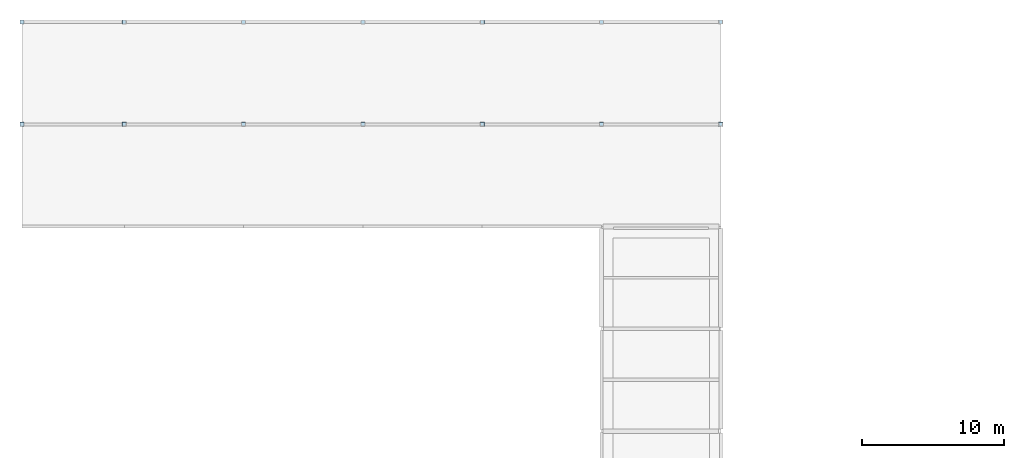
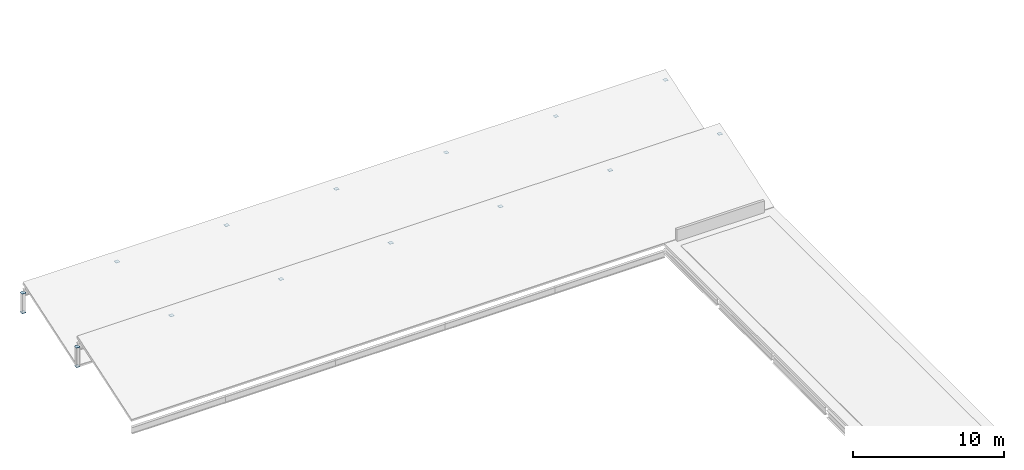
# One storey, part 46 of 72: 16 plates.
"""IFC4 building model written with IfcOpenShell, lengths in metres."""

import ifcopenshell
import ifcopenshell.guid

model = None  # the IFC model being written
_history = None  # IfcOwnerHistory: only IFC2X3 demands one
_inside = {}  # id of a spatial element -> (the spatial element, [elements in it])
_under = {}  # id of a project, library or spatial element -> (it, [spatial elements below it])
_declared = {}  # id of a project -> (the project, [libraries it declares])
_typed = {}  # id of a type object -> (the type object, [elements of that type])
_made_of = {}  # id of a material, layer set ... -> (it, [elements and type objects made of it])


def new_model(schema):
    """Start an empty IFC model of exactly this schema.

    Asked for "IFC4X3", IfcOpenShell would pick the latest addendum, in which some entities
    have other attributes; the version numbers below select the first issue.
    IFC2X3 requires an IfcOwnerHistory on every rooted entity: one is made here for all.
    """
    global model, _history
    if schema == "IFC4X3":
        model = ifcopenshell.file(schema_version=(4, 3, 0, 0))
    else:
        model = ifcopenshell.file(schema=schema)
    _inside.clear()
    _under.clear()
    _declared.clear()
    _typed.clear()
    _made_of.clear()
    _history = None
    if model.schema == "IFC2X3":
        org = make("IfcOrganization", Name="unknown")
        user = make(
            "IfcPersonAndOrganization",
            ThePerson=make("IfcPerson", FamilyName="unknown"),
            TheOrganization=org,
        )
        app = make(
            "IfcApplication",
            ApplicationDeveloper=org,
            Version="unknown",
            ApplicationFullName="unknown",
            ApplicationIdentifier="unknown",
        )
        _history = make(
            "IfcOwnerHistory",
            OwningUser=user,
            OwningApplication=app,
            ChangeAction="ADDED",
            CreationDate=0,
        )
    return model


def make(cls, **values):
    """One entity of the class cls with the attributes given. An attribute that is None is left unset."""
    return model.create_entity(
        cls, **{name: value for name, value in values.items() if value is not None}
    )


def rooted(cls, **values):
    """An entity with a GlobalId (a new one), such as an element, a storey or a relation."""
    return make(cls, GlobalId=ifcopenshell.guid.new(), OwnerHistory=_history, **values)


def si_unit(unit_type, name, prefix=None):
    """IfcSIUnit, for example si_unit("LENGTHUNIT", "METRE", prefix="MILLI")."""
    return make("IfcSIUnit", UnitType=unit_type, Prefix=prefix, Name=name)


def assignment(units):
    """IfcUnitAssignment: the units of a project."""
    return None if units is None else make("IfcUnitAssignment", Units=units)


def point(xyz):
    """IfcCartesianPoint."""
    return None if xyz is None else make("IfcCartesianPoint", Coordinates=xyz)


def direction(xyz):
    """IfcDirection."""
    return None if xyz is None else make("IfcDirection", DirectionRatios=xyz)


def frame(location, z_axis=None, x_axis=None):
    """IfcAxis2Placement3D, a coordinate frame: its origin and axes. An axis left out is left unset."""
    return make(
        "IfcAxis2Placement3D",
        Location=point(location),
        Axis=direction(z_axis),
        RefDirection=direction(x_axis),
    )


def frame_2d(location, x_axis=None):
    """IfcAxis2Placement2D, a coordinate frame in the plane: its origin and x axis."""
    return make(
        "IfcAxis2Placement2D", Location=point(location), RefDirection=direction(x_axis)
    )


def origin():
    """The frame at (0, 0, 0) with its axes left unset."""
    return frame((0.0, 0.0, 0.0))


def origin_2d():
    """The frame at (0, 0) in the plane with its x axis left unset."""
    return frame_2d((0.0, 0.0))


def place(relative_to, where):
    """IfcLocalPlacement: puts the frame where relative to a parent placement (None: the world)."""
    return make(
        "IfcLocalPlacement", PlacementRelTo=relative_to, RelativePlacement=where
    )


def context(
    kind, dimensions, precision=None, world=None, true_north=None, identifier=None
):
    """IfcGeometricRepresentationContext, for example the 3D "Model" context."""
    return make(
        "IfcGeometricRepresentationContext",
        ContextIdentifier=identifier,
        ContextType=kind,
        CoordinateSpaceDimension=dimensions,
        Precision=precision,
        WorldCoordinateSystem=world,
        TrueNorth=true_north,
    )


def subcontext(parent, identifier, kind, view, scale=None):
    """IfcGeometricRepresentationSubContext, for example "Body" below "Model"."""
    return make(
        "IfcGeometricRepresentationSubContext",
        ContextIdentifier=identifier,
        ContextType=kind,
        ParentContext=parent,
        TargetScale=scale,
        TargetView=view,
    )


def project(units=None, contexts=None):
    """IfcProject with its units and contexts."""
    return rooted(
        "IfcProject",
        Name="project",
        RepresentationContexts=contexts,
        UnitsInContext=assignment(units),
    )


def spatial(cls, under=None, at=None, **own):
    """A site, building, storey or space (cls), placed at a placement, below another one or the project."""
    s = rooted(cls, ObjectPlacement=at, **own)
    if under is not None:
        _under.setdefault(under.id(), (under, []))[1].append(s)
    return s


def profile(cls, at=None, kind="AREA", **sizes):
    """A parametric profile (cls). Its sizes go by their IFC names, for example OverallWidth=200.0."""
    return make(cls, ProfileType=kind, Position=at, **sizes)


def rectangle(**sizes):
    """IfcRectangleProfileDef."""
    return profile("IfcRectangleProfileDef", **sizes)


def extrude(swept, where, along, depth):
    """IfcExtrudedAreaSolid: the profile swept, set in the frame where, extruded along a direction by depth."""
    return make(
        "IfcExtrudedAreaSolid",
        SweptArea=swept,
        Position=where,
        ExtrudedDirection=direction(along),
        Depth=depth,
    )


def shape(context_of_items, identifier, shape_type, items):
    """IfcShapeRepresentation: the items that make up one representation, for example the "Body"."""
    return make(
        "IfcShapeRepresentation",
        ContextOfItems=context_of_items,
        RepresentationIdentifier=identifier,
        RepresentationType=shape_type,
        Items=items,
    )


def material(Name=None, Category=None):
    """IfcMaterial."""
    return make("IfcMaterial", Name=Name, Category=Category)


def layer(
    of_material, thickness, ventilated=None, Name=None, Category=None, Priority=None
):
    """IfcMaterialLayer: one layer of a wall or slab, of a material (None: an air gap)."""
    return make(
        "IfcMaterialLayer",
        Material=of_material,
        LayerThickness=thickness,
        IsVentilated=ventilated,
        Name=Name,
        Category=Category,
        Priority=Priority,
    )


def layer_set(layers, Name=None):
    """IfcMaterialLayerSet."""
    return make("IfcMaterialLayerSet", MaterialLayers=layers, LayerSetName=Name)


def made_of(thing, what):
    """Note that an element or type object is made of a material, layer set ...; save() writes the relation."""
    if what is not None:
        _made_of.setdefault(what.id(), (what, []))[1].append(thing)
    return thing


def type_object(cls, material=None, **own):
    """A type object (cls), such as IfcWallType, which elements share."""
    return made_of(rooted(cls, **own), material)


def element(
    cls,
    number,
    at=None,
    inside=None,
    cuts=None,
    type_object=None,
    material=None,
    context=None,
    identifier="Body",
    shape_type=None,
    held_by="IfcProductDefinitionShape",
    body=None,
    shapes=None,
    **own,
):
    """One element of the class cls, such as IfcWall. Its Tag is "e" and its number.

    at: its placement. inside: the storey or other place that contains it. cuts: it is an
    opening in that element (IfcRelVoidsElement). A single representation is given by context,
    identifier, shape_type and body (its items); several are given by shapes. held_by: the class
    of the entity that holds the representations. save() writes the other relations.
    """
    e = rooted(cls, Tag="e%d" % number, ObjectPlacement=at, **own)
    if body is not None:
        shapes = [shape(context, identifier, shape_type, body)]
    if shapes is not None:
        e.Representation = make(held_by, Representations=shapes)
    if inside is not None:
        _inside.setdefault(inside.id(), (inside, []))[1].append(e)
    if cuts is not None:
        rooted(
            "IfcRelVoidsElement", RelatingBuildingElement=cuts, RelatedOpeningElement=e
        )
    if type_object is not None:
        _typed.setdefault(type_object.id(), (type_object, []))[1].append(e)
    return made_of(e, material)


def aggregate(whole, parts):
    """IfcRelAggregates: a whole, such as a stair, and the parts it consists of."""
    return rooted("IfcRelAggregates", RelatingObject=whole, RelatedObjects=parts)


def save(model, path):
    """Write the relations noted so far, then the file.

    IfcRelAggregates (storeys below a building ...), IfcRelContainedInSpatialStructure (elements
    in a storey), IfcRelDefinesByType, IfcRelAssociatesMaterial and IfcRelDeclares: one each for
    every whole, place, type object, material and project.
    """
    for whole, parts in _under.values():
        aggregate(whole, parts)
    for where, things in _inside.values():
        rooted(
            "IfcRelContainedInSpatialStructure",
            RelatedElements=things,
            RelatingStructure=where,
        )
    for kind, things in _typed.values():
        rooted("IfcRelDefinesByType", RelatedObjects=things, RelatingType=kind)
    for what, things in _made_of.values():
        rooted("IfcRelAssociatesMaterial", RelatedObjects=things, RelatingMaterial=what)
    for by, libraries in _declared.values():
        rooted("IfcRelDeclares", RelatingContext=by, RelatedDefinitions=libraries)
    model.write(path)


model = new_model("IFC4")

# Units and contexts
model_context = context("Model", 3, precision=1e-05, world=origin(), true_north=direction((0.0, 1.0)))
body_context = subcontext(model_context, "Body", "Model", "MODEL_VIEW")
ifc_project = project(units=[si_unit("LENGTHUNIT", "METRE"), si_unit("AREAUNIT", "SQUARE_METRE"), si_unit("VOLUMEUNIT", "CUBIC_METRE"), si_unit("PLANEANGLEUNIT", "RADIAN"), si_unit("MASSUNIT", "GRAM", prefix="KILO")], contexts=[model_context])

# Site, building, storey
site_placement = place(None, origin())
site = spatial("IfcSite", under=ifc_project, at=site_placement, CompositionType="ELEMENT")
building_placement = place(site_placement, origin())
building = spatial("IfcBuilding", under=site, at=building_placement, Name="Calvrana Isthmian Art Gallery", CompositionType="ELEMENT")
storey_placement = place(building_placement, frame((0.0, 0.0, 15.0)))
storey = spatial("IfcBuildingStorey", under=building, at=storey_placement, Name="L03", CompositionType="ELEMENT", Elevation=15.0)

# Plates
ifc_material = material(Name="Steel ASTM A572 Gr 50", Category="steel")
ifc_layer = layer(ifc_material, 0.01611328125, Name="Steel ASTM A572 Gr 50")
ifc_layer_set = layer_set([ifc_layer], Name="Steel ASTM A572 Gr 50")
plate_type = type_object("IfcPlateType", Name="PL-CAP-16", PredefinedType="SHEET", material=ifc_layer_set)
for number, where, z_axis, x_axis, name in (
    (1, (14.39990234375, 105.60009765625, -0.008056640625), (0.0, 0.0, 1.0), (1.0, 0.0, 0.0), "Hollow section end cap plate 511"),
    (2, (14.39990234375, 105.60009765625, 1.572021484375), (0.0, 0.0, 1.0), (1.0, 0.0, 0.0), "Hollow section end cap plate 512"),
    (3, (21.60009765625, 105.60009765625, 1.572021484375), (0.0, 0.0, 1.0), (1.0, 0.0, 0.0), "Hollow section end cap plate 513"),
    (4, (30.0, 105.60009765625, 1.572021484375), (0.0, 0.0, 1.0), (1.0, 0.0, 0.0), "Hollow section end cap plate 514"),
    (5, (38.39990234375, 105.60009765625, 1.572021484375), (0.0, 0.0, 1.0), (1.0, 0.0, 0.0), "Hollow section end cap plate 515"),
    (6, (46.800048828125, 105.60009765625, 1.572021484375), (0.0, 0.0, 1.0), (1.0, 0.0, 0.0), "Hollow section end cap plate 516"),
    (7, (55.199951171875, 105.60009765625, 1.572021484375), (0.0, 0.0, 1.0), (1.0, 0.0, 0.0), "Hollow section end cap plate 517"),
    (8, (63.60009765625, 105.60009765625, 1.572021484375), (0.0, 0.0, 1.0), (1.0, 0.0, 0.0), "Hollow section end cap plate 518"),
    (9, (14.39990234375, 112.800048828125, -0.008056640625), (0.0, 0.0, 1.0), (1.0, 0.0, 0.0), "Hollow section end cap plate 519"),
    (10, (14.39990234375, 112.800048828125, 1.572021484375), (0.0, 0.0, 1.0), (1.0, 0.0, 0.0), "Hollow section end cap plate 520"),
    (11, (21.60009765625, 112.800048828125, 1.572021484375), (0.0, 0.0, 1.0), (1.0, 0.0, 0.0), "Hollow section end cap plate 521"),
    (12, (30.0, 112.800048828125, 1.572021484375), (0.0, 0.0, 1.0), (1.0, 0.0, 0.0), "Hollow section end cap plate 522"),
    (13, (38.39990234375, 112.800048828125, 1.572021484375), (0.0, 0.0, 1.0), (1.0, 0.0, 0.0), "Hollow section end cap plate 523"),
    (14, (46.800048828125, 112.800048828125, 1.572021484375), (0.0, 0.0, 1.0), (1.0, 0.0, 0.0), "Hollow section end cap plate 524"),
    (15, (55.199951171875, 112.800048828125, 1.572021484375), (0.0, 0.0, 1.0), (1.0, 0.0, 0.0), "Hollow section end cap plate 525"),
    (16, (63.60009765625, 112.800048828125, 1.572021484375), (0.0, 0.0, 1.0), (1.0, 0.0, 0.0), "Hollow section end cap plate 526"),
):
    element("IfcPlate", number, at=place(storey_placement, frame(where, z_axis=z_axis, x_axis=x_axis)), inside=storey, type_object=plate_type, Name=name, PredefinedType="SHEET", context=body_context, shape_type="SweptSolid", body=[
        extrude(rectangle(XDim=0.2939453125, YDim=0.2939453125, at=origin_2d()), origin(), (0.0, 0.0, 1.0), 0.01611328125),
    ])

save(model, "model.ifc")
